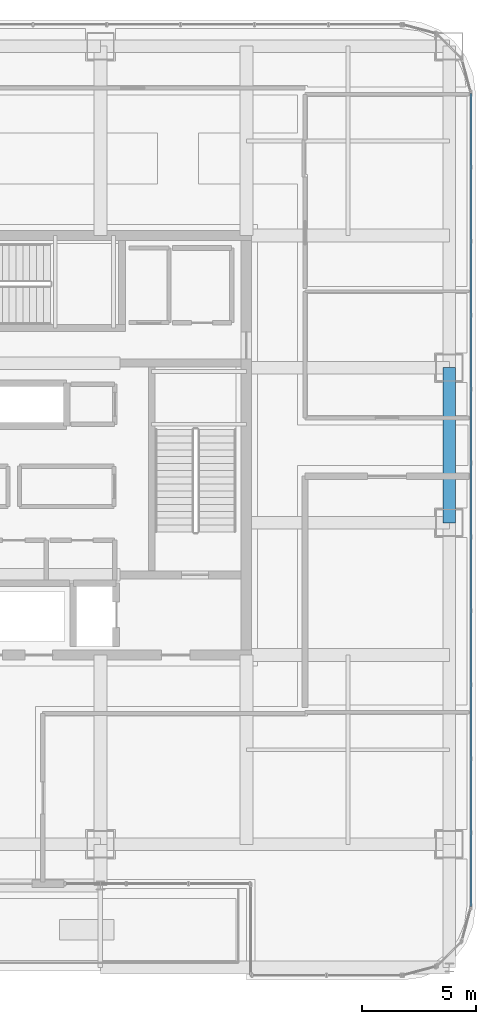
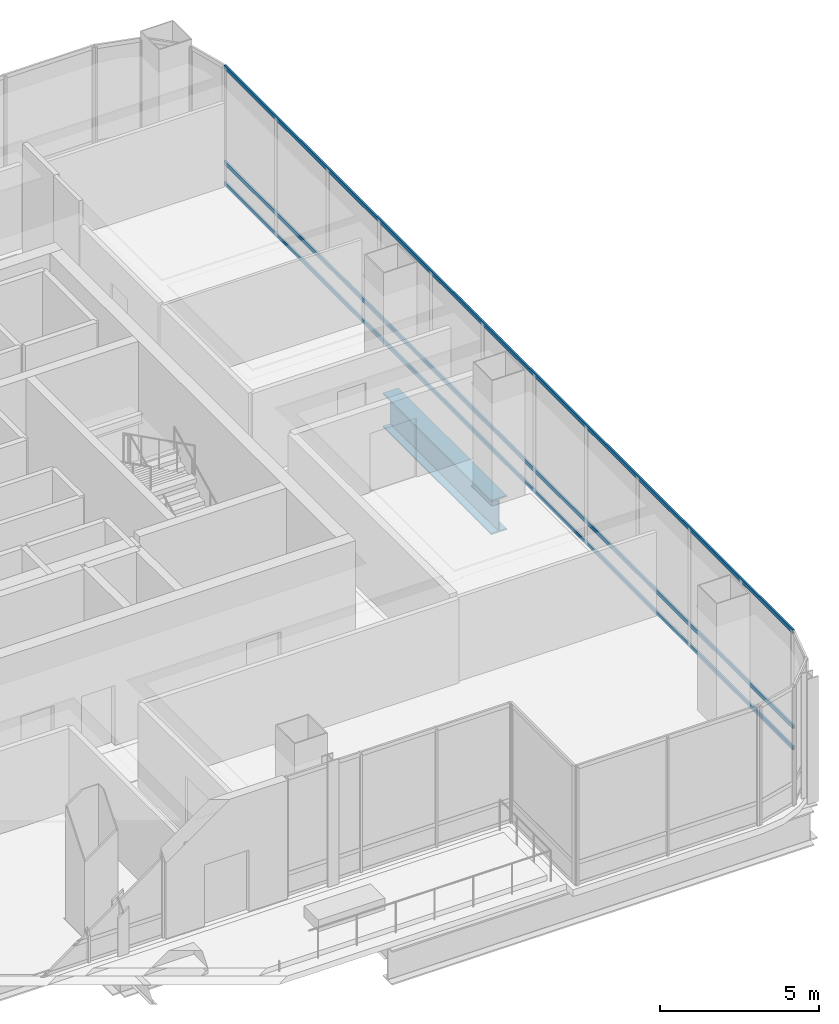
# One storey, part 21 of 44: 3 members, 1 beam, 1 element without a shape of its own.
"""IFC4 building model written with IfcOpenShell, lengths in metres."""

import ifcopenshell
import ifcopenshell.guid

model = None  # the IFC model being written
_history = None  # IfcOwnerHistory: only IFC2X3 demands one
_inside = {}  # id of a spatial element -> (the spatial element, [elements in it])
_under = {}  # id of a project, library or spatial element -> (it, [spatial elements below it])
_declared = {}  # id of a project -> (the project, [libraries it declares])
_typed = {}  # id of a type object -> (the type object, [elements of that type])
_made_of = {}  # id of a material, layer set ... -> (it, [elements and type objects made of it])


def new_model(schema):
    """Start an empty IFC model of exactly this schema.

    Asked for "IFC4X3", IfcOpenShell would pick the latest addendum, in which some entities
    have other attributes; the version numbers below select the first issue.
    IFC2X3 requires an IfcOwnerHistory on every rooted entity: one is made here for all.
    """
    global model, _history
    if schema == "IFC4X3":
        model = ifcopenshell.file(schema_version=(4, 3, 0, 0))
    else:
        model = ifcopenshell.file(schema=schema)
    _inside.clear()
    _under.clear()
    _declared.clear()
    _typed.clear()
    _made_of.clear()
    _history = None
    if model.schema == "IFC2X3":
        org = make("IfcOrganization", Name="unknown")
        user = make(
            "IfcPersonAndOrganization",
            ThePerson=make("IfcPerson", FamilyName="unknown"),
            TheOrganization=org,
        )
        app = make(
            "IfcApplication",
            ApplicationDeveloper=org,
            Version="unknown",
            ApplicationFullName="unknown",
            ApplicationIdentifier="unknown",
        )
        _history = make(
            "IfcOwnerHistory",
            OwningUser=user,
            OwningApplication=app,
            ChangeAction="ADDED",
            CreationDate=0,
        )
    return model


def make(cls, **values):
    """One entity of the class cls with the attributes given. An attribute that is None is left unset."""
    return model.create_entity(
        cls, **{name: value for name, value in values.items() if value is not None}
    )


def rooted(cls, **values):
    """An entity with a GlobalId (a new one), such as an element, a storey or a relation."""
    return make(cls, GlobalId=ifcopenshell.guid.new(), OwnerHistory=_history, **values)


def si_unit(unit_type, name, prefix=None):
    """IfcSIUnit, for example si_unit("LENGTHUNIT", "METRE", prefix="MILLI")."""
    return make("IfcSIUnit", UnitType=unit_type, Prefix=prefix, Name=name)


def assignment(units):
    """IfcUnitAssignment: the units of a project."""
    return None if units is None else make("IfcUnitAssignment", Units=units)


def point(xyz):
    """IfcCartesianPoint."""
    return None if xyz is None else make("IfcCartesianPoint", Coordinates=xyz)


def direction(xyz):
    """IfcDirection."""
    return None if xyz is None else make("IfcDirection", DirectionRatios=xyz)


def frame(location, z_axis=None, x_axis=None):
    """IfcAxis2Placement3D, a coordinate frame: its origin and axes. An axis left out is left unset."""
    return make(
        "IfcAxis2Placement3D",
        Location=point(location),
        Axis=direction(z_axis),
        RefDirection=direction(x_axis),
    )


def frame_2d(location, x_axis=None):
    """IfcAxis2Placement2D, a coordinate frame in the plane: its origin and x axis."""
    return make(
        "IfcAxis2Placement2D", Location=point(location), RefDirection=direction(x_axis)
    )


def origin():
    """The frame at (0, 0, 0) with its axes left unset."""
    return frame((0.0, 0.0, 0.0))


def origin_2d():
    """The frame at (0, 0) in the plane with its x axis left unset."""
    return frame_2d((0.0, 0.0))


def place(relative_to, where):
    """IfcLocalPlacement: puts the frame where relative to a parent placement (None: the world)."""
    return make(
        "IfcLocalPlacement", PlacementRelTo=relative_to, RelativePlacement=where
    )


def context(
    kind, dimensions, precision=None, world=None, true_north=None, identifier=None
):
    """IfcGeometricRepresentationContext, for example the 3D "Model" context."""
    return make(
        "IfcGeometricRepresentationContext",
        ContextIdentifier=identifier,
        ContextType=kind,
        CoordinateSpaceDimension=dimensions,
        Precision=precision,
        WorldCoordinateSystem=world,
        TrueNorth=true_north,
    )


def subcontext(parent, identifier, kind, view, scale=None):
    """IfcGeometricRepresentationSubContext, for example "Body" below "Model"."""
    return make(
        "IfcGeometricRepresentationSubContext",
        ContextIdentifier=identifier,
        ContextType=kind,
        ParentContext=parent,
        TargetScale=scale,
        TargetView=view,
    )


def project(units=None, contexts=None):
    """IfcProject with its units and contexts."""
    return rooted(
        "IfcProject",
        Name="project",
        RepresentationContexts=contexts,
        UnitsInContext=assignment(units),
    )


def spatial(cls, under=None, at=None, **own):
    """A site, building, storey or space (cls), placed at a placement, below another one or the project."""
    s = rooted(cls, ObjectPlacement=at, **own)
    if under is not None:
        _under.setdefault(under.id(), (under, []))[1].append(s)
    return s


def profile(cls, at=None, kind="AREA", **sizes):
    """A parametric profile (cls). Its sizes go by their IFC names, for example OverallWidth=200.0."""
    return make(cls, ProfileType=kind, Position=at, **sizes)


def hollow_rectangle(**sizes):
    """IfcRectangleHollowProfileDef."""
    return profile("IfcRectangleHollowProfileDef", **sizes)


def i_section(**sizes):
    """IfcIShapeProfileDef."""
    return profile("IfcIShapeProfileDef", **sizes)


def extrude(swept, where, along, depth):
    """IfcExtrudedAreaSolid: the profile swept, set in the frame where, extruded along a direction by depth."""
    return make(
        "IfcExtrudedAreaSolid",
        SweptArea=swept,
        Position=where,
        ExtrudedDirection=direction(along),
        Depth=depth,
    )


def shape(context_of_items, identifier, shape_type, items):
    """IfcShapeRepresentation: the items that make up one representation, for example the "Body"."""
    return make(
        "IfcShapeRepresentation",
        ContextOfItems=context_of_items,
        RepresentationIdentifier=identifier,
        RepresentationType=shape_type,
        Items=items,
    )


def material(Name=None, Category=None):
    """IfcMaterial."""
    return make("IfcMaterial", Name=Name, Category=Category)


def material_profile(
    of_material, cross_section, Name=None, Category=None, Priority=None
):
    """IfcMaterialProfile: a cross section and its material."""
    return make(
        "IfcMaterialProfile",
        Name=Name,
        Material=of_material,
        Profile=cross_section,
        Priority=Priority,
        Category=Category,
    )


def profile_set(profiles, Name=None, composite=None):
    """IfcMaterialProfileSet."""
    return make(
        "IfcMaterialProfileSet",
        Name=Name,
        MaterialProfiles=profiles,
        CompositeProfile=composite,
    )


def made_of(thing, what):
    """Note that an element or type object is made of a material, layer set ...; save() writes the relation."""
    if what is not None:
        _made_of.setdefault(what.id(), (what, []))[1].append(thing)
    return thing


def type_object(cls, material=None, **own):
    """A type object (cls), such as IfcWallType, which elements share."""
    return made_of(rooted(cls, **own), material)


def element(
    cls,
    number,
    at=None,
    inside=None,
    cuts=None,
    type_object=None,
    material=None,
    context=None,
    identifier="Body",
    shape_type=None,
    held_by="IfcProductDefinitionShape",
    body=None,
    shapes=None,
    **own,
):
    """One element of the class cls, such as IfcWall. Its Tag is "e" and its number.

    at: its placement. inside: the storey or other place that contains it. cuts: it is an
    opening in that element (IfcRelVoidsElement). A single representation is given by context,
    identifier, shape_type and body (its items); several are given by shapes. held_by: the class
    of the entity that holds the representations. save() writes the other relations.
    """
    e = rooted(cls, Tag="e%d" % number, ObjectPlacement=at, **own)
    if body is not None:
        shapes = [shape(context, identifier, shape_type, body)]
    if shapes is not None:
        e.Representation = make(held_by, Representations=shapes)
    if inside is not None:
        _inside.setdefault(inside.id(), (inside, []))[1].append(e)
    if cuts is not None:
        rooted(
            "IfcRelVoidsElement", RelatingBuildingElement=cuts, RelatedOpeningElement=e
        )
    if type_object is not None:
        _typed.setdefault(type_object.id(), (type_object, []))[1].append(e)
    return made_of(e, material)


def aggregate(whole, parts):
    """IfcRelAggregates: a whole, such as a stair, and the parts it consists of."""
    return rooted("IfcRelAggregates", RelatingObject=whole, RelatedObjects=parts)


def save(model, path):
    """Write the relations noted so far, then the file.

    IfcRelAggregates (storeys below a building ...), IfcRelContainedInSpatialStructure (elements
    in a storey), IfcRelDefinesByType, IfcRelAssociatesMaterial and IfcRelDeclares: one each for
    every whole, place, type object, material and project.
    """
    for whole, parts in _under.values():
        aggregate(whole, parts)
    for where, things in _inside.values():
        rooted(
            "IfcRelContainedInSpatialStructure",
            RelatedElements=things,
            RelatingStructure=where,
        )
    for kind, things in _typed.values():
        rooted("IfcRelDefinesByType", RelatedObjects=things, RelatingType=kind)
    for what, things in _made_of.values():
        rooted("IfcRelAssociatesMaterial", RelatedObjects=things, RelatingMaterial=what)
    for by, libraries in _declared.values():
        rooted("IfcRelDeclares", RelatingContext=by, RelatedDefinitions=libraries)
    model.write(path)


model = new_model("IFC4")

# Units and contexts
model_context = context("Model", 3, precision=1e-05, world=origin(), true_north=direction((0.0, 1.0)))
body_context = subcontext(model_context, "Body", "Model", "MODEL_VIEW")
ifc_project = project(units=[si_unit("LENGTHUNIT", "METRE"), si_unit("AREAUNIT", "SQUARE_METRE"), si_unit("VOLUMEUNIT", "CUBIC_METRE"), si_unit("PLANEANGLEUNIT", "RADIAN"), si_unit("MASSUNIT", "GRAM", prefix="KILO")], contexts=[model_context])

# Site, building, storey
site_placement = place(None, origin())
site = spatial("IfcSite", under=ifc_project, at=site_placement, CompositionType="ELEMENT")
building_placement = place(site_placement, origin())
building = spatial("IfcBuilding", under=site, at=building_placement, Name="Punatoya Terracotta Tower", CompositionType="ELEMENT")
storey_placement = place(building_placement, frame((0.0, 0.0, 334.199951171875)))
storey = spatial("IfcBuildingStorey", under=building, at=storey_placement, Name="L79", CompositionType="ELEMENT", Elevation=334.199951171875)

# Beam
ifc_material_1 = material(Name="Steel S460", Category="steel")
ifc_material_profile_1 = material_profile(ifc_material_1, i_section(OverallWidth=0.56005859375, OverallDepth=1.320068359375, WebThickness=0.035888671875, FlangeThickness=0.054931640625, FilletRadius=0.01806640625, at=origin_2d()))
ifc_profile_set_1 = profile_set([ifc_material_profile_1], Name="Steel S460")
beam_type = type_object("IfcBeamType", Name="BM-TG-BLK", PredefinedType="BEAM", material=ifc_profile_set_1)
beam_placement = place(storey_placement, frame((19.10009765625, -3.39990234375, -0.919921875), z_axis=(0.0, 1.0, 0.0), x_axis=(-1.0, 0.0, 0.0)))
element("IfcBeam", 1, at=beam_placement, inside=storey, type_object=beam_type, Name="BM-L79-RG-E2", PredefinedType="BEAM", context=body_context, shape_type="SweptSolid", body=[
    extrude(i_section(OverallWidth=0.56005859375, OverallDepth=1.320068359375, WebThickness=0.035888671875, FlangeThickness=0.054931640625, FilletRadius=0.01806640625, at=origin_2d()), origin(), (0.0, 0.0, 1.0), 6.7998046875),
])

# Curtain wall, members
ifc_material_2 = material(Name="Aluminium 6063-T6 + Double Low-E Glass", Category="aluminium")
curtain_wall_type = type_object("IfcCurtainWallType", Name="CW-OBS", PredefinedType="NOTDEFINED", material=ifc_material_2)
curtain_wall_placement = place(storey_placement, origin())
curtain_wall = element("IfcCurtainWall", 2, at=curtain_wall_placement, inside=storey, type_object=curtain_wall_type, Name="L79 Curtain Wall CW-L79-E10-1", PredefinedType="NOTDEFINED")
ifc_material_3 = material(Name="Aluminium 6063-T6", Category="aluminium")
ifc_material_profile_2 = material_profile(ifc_material_3, hollow_rectangle(XDim=0.068115234375, YDim=0.14990234375, WallThickness=0.00390625, at=origin_2d()))
ifc_profile_set_2 = profile_set([ifc_material_profile_2], Name="Aluminium 6063-T6")
member_type = type_object("IfcMemberType", Name="CW-TRN-TYP", PredefinedType="USERDEFINED", material=ifc_profile_set_2)
member_1_placement = place(storey_placement, frame((20.050048828125, -20.23681640625, 0.0400390625), z_axis=(0.0, 1.0, 0.0), x_axis=(-1.0, 0.0, 0.0)))
member_1 = element("IfcMember", 3, at=member_1_placement, type_object=member_type, Name="CW-L79-E10-1 Transom 1", ObjectType="TRANSOM", PredefinedType="USERDEFINED", context=body_context, shape_type="SweptSolid", body=[
    extrude(hollow_rectangle(XDim=0.068115234375, YDim=0.14990234375, WallThickness=0.00390625, at=origin_2d()), origin(), (0.0, 0.0, 1.0), 35.673828125),
])
member_2_placement = place(storey_placement, frame((20.050048828125, -20.23681640625, 0.85009765625), z_axis=(0.0, 1.0, 0.0), x_axis=(-1.0, 0.0, 0.0)))
member_2 = element("IfcMember", 4, at=member_2_placement, type_object=member_type, Name="CW-L79-E10-1 Transom 2", ObjectType="TRANSOM", PredefinedType="USERDEFINED", context=body_context, shape_type="SweptSolid", body=[
    extrude(hollow_rectangle(XDim=0.068115234375, YDim=0.14990234375, WallThickness=0.00390625, at=origin_2d()), origin(), (0.0, 0.0, 1.0), 35.673828125),
])
member_3_placement = place(storey_placement, frame((20.050048828125, -20.23681640625, 4.5), z_axis=(0.0, 1.0, 0.0), x_axis=(-1.0, 0.0, 0.0)))
member_3 = element("IfcMember", 5, at=member_3_placement, type_object=member_type, Name="CW-L79-E10-1 Transom 3", ObjectType="TRANSOM", PredefinedType="USERDEFINED", context=body_context, shape_type="SweptSolid", body=[
    extrude(hollow_rectangle(XDim=0.068115234375, YDim=0.14990234375, WallThickness=0.00390625, at=origin_2d()), origin(), (0.0, 0.0, 1.0), 35.673828125),
])
aggregate(curtain_wall, [member_1, member_2, member_3])

save(model, "model.ifc")
